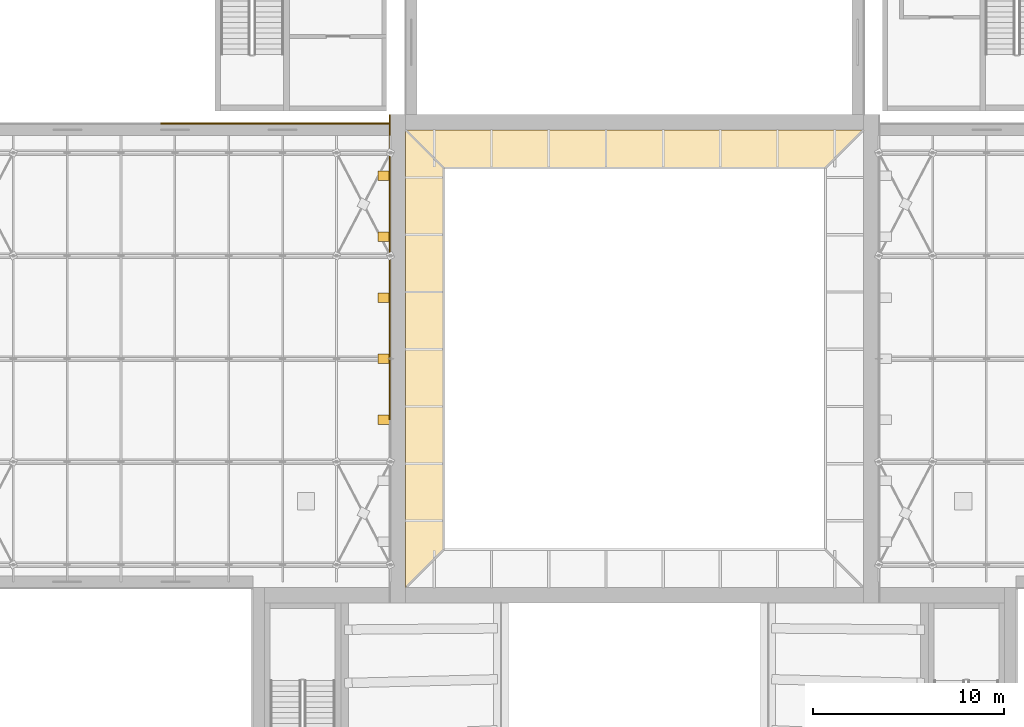
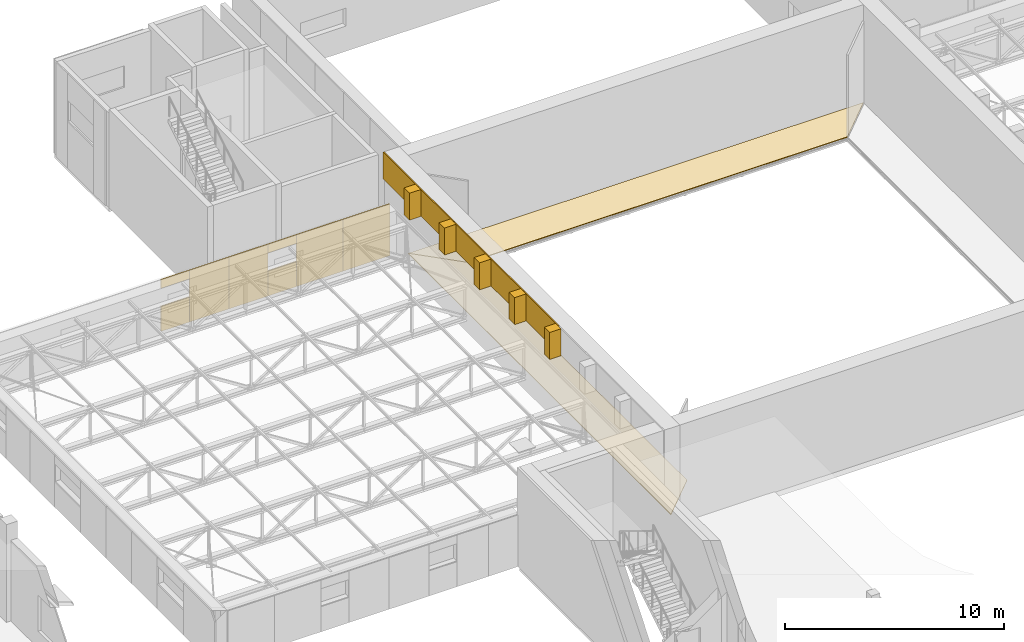
# One storey, part 121 of 132: 20 coverings.
"""IFC4 building model written with IfcOpenShell, lengths in metres."""

from ifc_helpers import new_model, si_unit, direction, frame, origin, origin_2d, place, context, subcontext, project, spatial, polyline, rectangle, outline, extrude, material, layer, layer_set, type_object, element, save


model = new_model("IFC4")

# Units and contexts
model_context = context("Model", 3, precision=1e-05, world=origin(), true_north=direction((0.0, 1.0)))
body_context = subcontext(model_context, "Body", "Model", "MODEL_VIEW")
ifc_project = project(units=[si_unit("LENGTHUNIT", "METRE"), si_unit("AREAUNIT", "SQUARE_METRE"), si_unit("VOLUMEUNIT", "CUBIC_METRE"), si_unit("PLANEANGLEUNIT", "RADIAN"), si_unit("MASSUNIT", "GRAM", prefix="KILO")], contexts=[model_context])

# Site, building, storey
site_placement = place(None, origin())
site = spatial("IfcSite", under=ifc_project, at=site_placement, CompositionType="ELEMENT")
building_placement = place(site_placement, origin())
building = spatial("IfcBuilding", under=site, at=building_placement, Name="Lunette Opera House", CompositionType="ELEMENT")
storey_placement = place(building_placement, frame((0.0, 0.0, 17.0)))
storey = spatial("IfcBuildingStorey", under=building, at=storey_placement, Name="L03", CompositionType="ELEMENT", Elevation=17.0)

# Coverings
ifc_material_1 = material(Name="Aluminium standing seam cladding", Category="aluminium")
ifc_layer_1 = layer(ifc_material_1, 0.06005859375)
ifc_layer_set_1 = layer_set([ifc_layer_1], Name="Aluminium standing seam cladding")
covering_type_1 = type_object("IfcCoveringType", Name="STANDING SEAM CLADDING 60", PredefinedType="CLADDING", material=ifc_layer_set_1)
for number, where, z_axis, x_axis, name in (
    (1, (83.169921875, 106.39990234375, 4.0), (0.0, 0.0, 1.0), (0.0, 1.0, 0.0), "Standing seam cladding WW L03 03"),
    (2, (83.169921875, 109.60009765625, 4.0), (0.0, 0.0, 1.0), (0.0, 1.0, 0.0), "Standing seam cladding WW L03 04"),
    (3, (83.169921875, 112.800048828125, 4.0), (0.0, 0.0, 1.0), (0.0, 1.0, 0.0), "Standing seam cladding WW L03 05"),
    (4, (83.169921875, 116.0, 4.0), (0.0, 0.0, 1.0), (0.0, 1.0, 0.0), "Standing seam cladding WW L03 06"),
    (5, (83.169921875, 119.199951171875, 4.0), (0.0, 0.0, 1.0), (0.0, 1.0, 0.0), "Standing seam cladding WW L03 07"),
):
    element("IfcCovering", number, at=place(storey_placement, frame(where, z_axis=z_axis, x_axis=x_axis)), inside=storey, type_object=covering_type_1, Name=name, PredefinedType="CLADDING", context=body_context, shape_type="SweptSolid", body=[
        extrude(rectangle(XDim=3.199951171875, YDim=0.06005859375, at=origin_2d()), origin(), (0.0, 0.0, 1.0), 1.5),
    ])
covering_1_placement = place(storey_placement, frame((71.89990234375, 120.330078125, 0.0), z_axis=(0.0, 0.0, 1.0), x_axis=(1.0, 0.0, 0.0)))
element("IfcCovering", 6, at=covering_1_placement, inside=storey, type_object=covering_type_1, Name="Standing seam cladding SW-N-1 L03 30", PredefinedType="CLADDING", context=body_context, shape_type="SweptSolid", body=[
    extrude(rectangle(XDim=1.5, YDim=0.06005859375, at=origin_2d()), origin(), (0.0, 0.0, 1.0), 1.39990234375),
])
covering_2_placement = place(storey_placement, frame((71.89990234375, 120.330078125, 2.39990234375), z_axis=(0.0, 0.0, 1.0), x_axis=(1.0, 0.0, 0.0)))
element("IfcCovering", 7, at=covering_2_placement, inside=storey, type_object=covering_type_1, Name="Standing seam cladding SW-N-1 L03 31", PredefinedType="CLADDING", context=body_context, shape_type="SweptSolid", body=[
    extrude(rectangle(XDim=1.5, YDim=0.06005859375, at=origin_2d()), origin(), (0.0, 0.0, 1.0), 0.47998046875),
])
for number, where, z_axis, x_axis, name in (
    (8, (73.68310546875, 120.330078125, 0.0), (0.0, 0.0, 1.0), (1.0, 0.0, 0.0), "Standing seam cladding SW-N-1 L03 40"),
    (9, (75.75, 120.330078125, 0.0), (0.0, 0.0, 1.0), (1.0, 0.0, 0.0), "Standing seam cladding SW-N-1 L03 41"),
):
    element("IfcCovering", number, at=place(storey_placement, frame(where, z_axis=z_axis, x_axis=x_axis)), inside=storey, type_object=covering_type_1, Name=name, PredefinedType="CLADDING", context=body_context, shape_type="SweptSolid", body=[
        extrude(rectangle(XDim=2.06591796875, YDim=0.06005859375, at=origin_2d()), origin(), (0.0, 0.0, 1.0), 2.8798828125),
    ])
covering_3_placement = place(storey_placement, frame((77.532958984375, 120.330078125, 0.0), z_axis=(0.0, 0.0, 1.0), x_axis=(1.0, 0.0, 0.0)))
element("IfcCovering", 10, at=covering_3_placement, inside=storey, type_object=covering_type_1, Name="Standing seam cladding SW-N-1 L03 50", PredefinedType="CLADDING", context=body_context, shape_type="SweptSolid", body=[
    extrude(rectangle(XDim=1.5, YDim=0.06005859375, at=origin_2d()), origin(), (0.0, 0.0, 1.0), 1.39990234375),
])
covering_4_placement = place(storey_placement, frame((77.532958984375, 120.330078125, 2.39990234375), z_axis=(0.0, 0.0, 1.0), x_axis=(1.0, 0.0, 0.0)))
element("IfcCovering", 11, at=covering_4_placement, inside=storey, type_object=covering_type_1, Name="Standing seam cladding SW-N-1 L03 51", PredefinedType="CLADDING", context=body_context, shape_type="SweptSolid", body=[
    extrude(rectangle(XDim=1.5, YDim=0.06005859375, at=origin_2d()), origin(), (0.0, 0.0, 1.0), 0.47998046875),
])
for number, where, z_axis, x_axis, name in (
    (12, (79.511962890625, 120.330078125, 0.0), (0.0, 0.0, 1.0), (1.0, 0.0, 0.0), "Standing seam cladding SW-N-1 L03 60"),
    (13, (81.970947265625, 120.330078125, 0.0), (0.0, 0.0, 1.0), (1.0, 0.0, 0.0), "Standing seam cladding SW-N-1 L03 61"),
):
    element("IfcCovering", number, at=place(storey_placement, frame(where, z_axis=z_axis, x_axis=x_axis)), inside=storey, type_object=covering_type_1, Name=name, PredefinedType="CLADDING", context=body_context, shape_type="SweptSolid", body=[
        extrude(rectangle(XDim=2.458984375, YDim=0.06005859375, at=origin_2d()), origin(), (0.0, 0.0, 1.0), 2.8798828125),
    ])
ifc_material_2 = material(Name="Timber", Category="wood")
ifc_layer_2 = layer(ifc_material_2, 0.0400390625)
ifc_layer_set_2 = layer_set([ifc_layer_2], Name="Timber")
covering_type_2 = type_object("IfcCoveringType", Name="TIMBER FLOOR FINISH 40", PredefinedType="FLOORING", material=ifc_layer_set_2)
covering_5_placement = place(storey_placement, origin())
element("IfcCovering", 14, at=covering_5_placement, inside=storey, type_object=covering_type_2, Name="Floor finish Fly Gallery 17 North", PredefinedType="FLOORING", context=body_context, shape_type="SweptSolid", body=[
    extrude(outline(polyline([(106.0, 118.0), (86.0, 118.0), (84.0, 120.0), (108.0, 120.0), (106.0, 118.0)])), origin(), (0.0, 0.0, 1.0), 0.0400390625),
])
covering_6_placement = place(storey_placement, origin())
element("IfcCovering", 15, at=covering_6_placement, inside=storey, type_object=covering_type_2, Name="Floor finish Fly Gallery 17 West", PredefinedType="FLOORING", context=body_context, shape_type="SweptSolid", body=[
    extrude(outline(polyline([(86.0, 118.0), (86.0, 98.0), (84.0, 96.0), (84.0, 120.0), (86.0, 118.0)])), origin(), (0.0, 0.0, 1.0), 0.0400390625),
])
ifc_material_3 = material(Name="Weathering steel plate", Category="steel")
ifc_layer_3 = layer(ifc_material_3, 0.60009765625)
ifc_layer_set_3 = layer_set([ifc_layer_3], Name="Weathering steel plate")
covering_type_3 = type_object("IfcCoveringType", Name="TOWER RIB 500 X 600", PredefinedType="CLADDING", material=ifc_layer_set_3)
for number, where, z_axis, x_axis, name in (
    (16, (82.840087890625, 104.800048828125, 4.0), (0.0, 0.0, 1.0), (0.0, 1.0, 0.0), "Tower rib WW L03 3"),
    (17, (82.840087890625, 108.0, 4.0), (0.0, 0.0, 1.0), (0.0, 1.0, 0.0), "Tower rib WW L03 4"),
    (18, (82.840087890625, 111.199951171875, 4.0), (0.0, 0.0, 1.0), (0.0, 1.0, 0.0), "Tower rib WW L03 5"),
    (19, (82.840087890625, 114.39990234375, 4.0), (0.0, 0.0, 1.0), (0.0, 1.0, 0.0), "Tower rib WW L03 6"),
    (20, (82.840087890625, 117.60009765625, 4.0), (0.0, 0.0, 1.0), (0.0, 1.0, 0.0), "Tower rib WW L03 7"),
):
    element("IfcCovering", number, at=place(storey_placement, frame(where, z_axis=z_axis, x_axis=x_axis)), inside=storey, type_object=covering_type_3, Name=name, PredefinedType="CLADDING", context=body_context, shape_type="SweptSolid", body=[
        extrude(rectangle(XDim=0.5, YDim=0.60009765625, at=origin_2d()), origin(), (0.0, 0.0, 1.0), 1.5),
    ])

save(model, "model.ifc")
